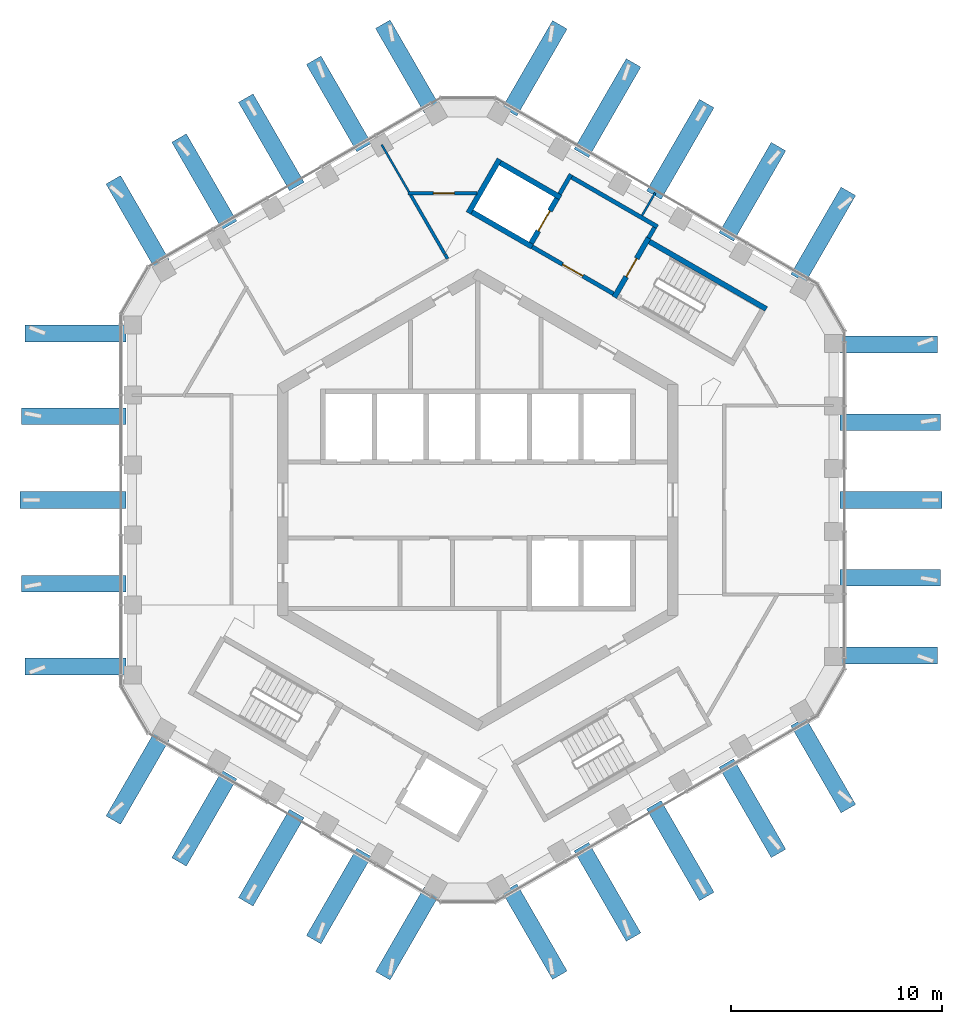
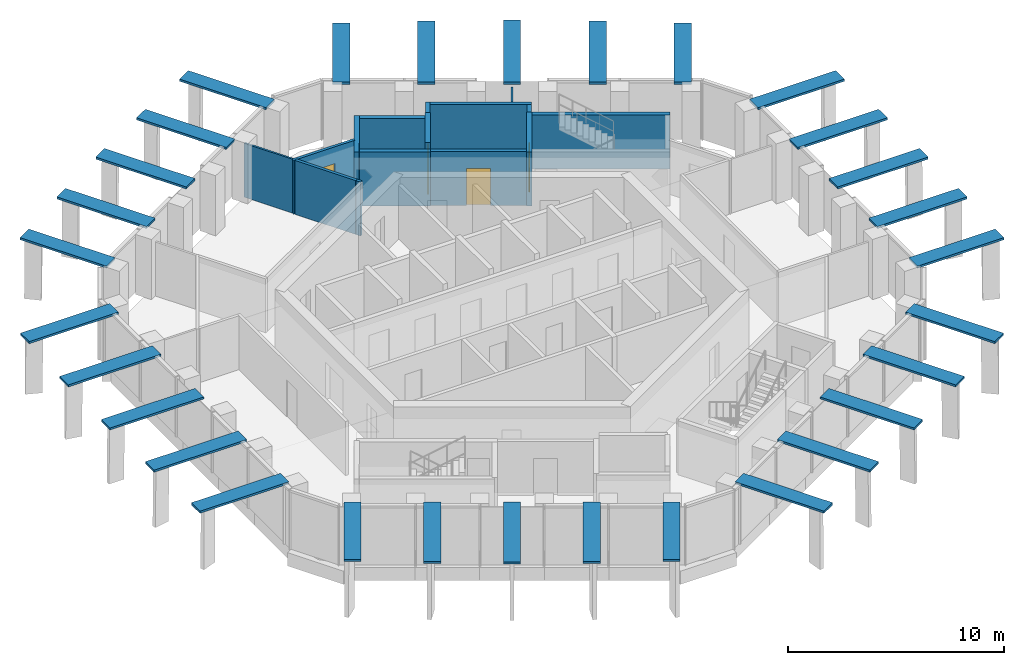
# One storey, part 13 of 17: 30 discrete accessories, 15 walls, 4 doors, 4 openings.
"""IFC4 building model written with IfcOpenShell, lengths in metres."""

from ifc_helpers import new_model, si_unit, direction, frame, frame_2d, origin, origin_2d, place, context, subcontext, project, spatial, rectangle, extrude, material, layer, layer_set, type_object, element, fill, save


model = new_model("IFC4")

# Units and contexts
model_context = context("Model", 3, precision=1e-05, world=origin(), true_north=direction((0.0, 1.0)))
body_context = subcontext(model_context, "Body", "Model", "MODEL_VIEW")
ifc_project = project(units=[si_unit("LENGTHUNIT", "METRE"), si_unit("AREAUNIT", "SQUARE_METRE"), si_unit("VOLUMEUNIT", "CUBIC_METRE"), si_unit("PLANEANGLEUNIT", "RADIAN"), si_unit("MASSUNIT", "GRAM", prefix="KILO")], contexts=[model_context])

# Site, building, storey
site_placement = place(None, origin())
site = spatial("IfcSite", under=ifc_project, at=site_placement, CompositionType="ELEMENT")
building_placement = place(site_placement, origin())
building = spatial("IfcBuilding", under=site, at=building_placement, Name="Ayvan Gate Tower", CompositionType="ELEMENT")
storey_placement = place(building_placement, frame((0.0, 0.0, 246.10009765625)))
storey = spatial("IfcBuildingStorey", under=building, at=storey_placement, Name="L66", CompositionType="ELEMENT", Elevation=246.10009765625)

# Wall, opening, door
ifc_material_1 = material(Name="Plasterboard on steel stud", Category="steel")
ifc_layer_1 = layer(ifc_material_1, 0.14990234375)
ifc_layer_set_1 = layer_set([ifc_layer_1], Name="Plasterboard on steel stud")
wall_type_1 = type_object("IfcWallType", Name="WT-CORR-150", PredefinedType="PARTITIONING", material=ifc_layer_set_1)
wall_1_placement = place(storey_placement, frame((-3.30712890625, 14.561767578125, 0.0), z_axis=(0.0, 0.0, 1.0), x_axis=(1.0, 0.0, 0.0)))
wall_1 = element("IfcWall", 1, at=wall_1_placement, inside=storey, type_object=wall_type_1, Name="IW-L66-021", PredefinedType="PARTITIONING", context=body_context, shape_type="SweptSolid", body=[
    extrude(rectangle(XDim=3.275634765625, YDim=0.14990234375, at=frame_2d((1.6376953125, 0.0))), origin(), (0.0, 0.0, 1.0), 3.0498046875),
])
opening_1_placement = place(wall_1_placement, frame((1.192626953125, 0.0, 0.0)))
opening_1 = element("IfcOpeningElement", 2, at=opening_1_placement, cuts=wall_1, Name="Opening L66-D24", PredefinedType="OPENING", context=body_context, shape_type="SweptSolid", body=[
    extrude(rectangle(XDim=1.0, YDim=2.10009765625, at=frame_2d((0.5, 1.050048828125))), frame((0.0, 0.0849609375, 0.0), z_axis=(0.0, -1.0, 0.0), x_axis=(1.0, 0.0, 0.0)), (0.0, 0.0, 1.0), 0.169921875),
])
ifc_material_2 = material(Name="Timber door leaf", Category="wood")
door_type_1 = type_object("IfcDoorType", Name="DT-1000", OperationType="NOTDEFINED", PredefinedType="DOOR", material=ifc_material_2)
door_1_placement = place(opening_1_placement, origin())
door_1 = element("IfcDoor", 3, at=door_1_placement, inside=storey, type_object=door_type_1, Name="ID-L66-024", OperationType="SINGLE_SWING_RIGHT", OverallHeight=2.10009765625, OverallWidth=1.0, PredefinedType="DOOR", context=body_context, shape_type="SweptSolid", body=[
    extrude(rectangle(XDim=1.0, YDim=2.10009765625, at=frame_2d((0.5, 1.050048828125))), frame((0.0, 0.02490234375, 0.0), z_axis=(0.0, -1.0, 0.0), x_axis=(1.0, 0.0, 0.0)), (0.0, 0.0, 1.0), 0.050048828125),
])
fill(opening_1, door_1)

# Walls
wall_2_placement = place(storey_placement, frame((-1.5693359375, 11.681884765625, 0.0), z_axis=(0.0, 0.0, 1.0), x_axis=(-0.500008528526, 0.866020479782, 0.0)))
element("IfcWall", 4, at=wall_2_placement, inside=storey, type_object=wall_type_1, Name="IW-L66-026", PredefinedType="PARTITIONING", context=body_context, shape_type="SweptSolid", body=[
    extrude(rectangle(XDim=3.25048828125, YDim=0.14990234375, at=frame_2d((1.625244140625, 0.0))), origin(), (0.0, 0.0, 1.0), 3.0498046875),
])
wall_3_placement = place(storey_placement, frame((-1.559326171875, 11.66455078125, 0.0), z_axis=(0.0, 0.0, 1.0), x_axis=(0.499401523306, -0.866370658852, 0.0)))
element("IfcWall", 5, at=wall_3_placement, inside=storey, type_object=wall_type_1, Name="IW-L66-027", PredefinedType="PARTITIONING", context=body_context, shape_type="SweptSolid", body=[
    extrude(rectangle(XDim=0.241455078125, YDim=0.14990234375, at=frame_2d((0.12060546875, 0.0))), origin(), (0.0, 0.0, 1.0), 3.0498046875),
])
ifc_layer_2 = layer(ifc_material_1, 0.10009765625)
ifc_layer_set_2 = layer_set([ifc_layer_2], Name="Plasterboard on steel stud")
wall_type_2 = type_object("IfcWallType", Name="WT-PART-100", PredefinedType="PARTITIONING", material=ifc_layer_set_2)
wall_4_placement = place(storey_placement, frame((-3.26953125, 14.626708984375, 0.0), z_axis=(0.0, 0.0, 1.0), x_axis=(-0.500038474733, 0.866003189247, 0.0)))
element("IfcWall", 6, at=wall_4_placement, inside=storey, type_object=wall_type_2, Name="IW-L66-020", PredefinedType="PARTITIONING", context=body_context, shape_type="SweptSolid", body=[
    extrude(rectangle(XDim=2.585693359375, YDim=0.10009765625, at=frame_2d((1.29296875, 0.0))), origin(), (0.0, 0.0, 1.0), 3.0498046875),
])
wall_5_placement = place(storey_placement, frame((7.800048828125, 13.510009765625, 0.0), z_axis=(0.0, 0.0, 1.0), x_axis=(0.500076467306, 0.865981250863, 0.0)))
element("IfcWall", 7, at=wall_5_placement, inside=storey, type_object=wall_type_2, Name="IW-L66-057", PredefinedType="PARTITIONING", context=body_context, shape_type="SweptSolid", body=[
    extrude(rectangle(XDim=1.233642578125, YDim=0.10009765625, at=frame_2d((0.61669921875, 0.0))), origin(), (0.0, 0.0, 1.0), 3.0498046875),
])
ifc_layer_3 = layer(ifc_material_1, 0.199951171875)
ifc_layer_set_3 = layer_set([ifc_layer_3], Name="Plasterboard on steel stud")
wall_type_3 = type_object("IfcWallType", Name="WT-RATED-200", PredefinedType="PARTITIONING", material=ifc_layer_set_3)
wall_6_placement = place(storey_placement, frame((3.885009765625, 14.52880859375, 0.0), z_axis=(0.0, 0.0, 1.0), x_axis=(0.499997628298, 0.866026773083, 0.0)))
element("IfcWall", 8, at=wall_6_placement, inside=storey, type_object=wall_type_3, Name="IW-L66-043", PredefinedType="PARTITIONING", context=body_context, shape_type="SweptSolid", body=[
    extrude(rectangle(XDim=1.0751953125, YDim=0.199951171875, at=frame_2d((0.53759765625, 0.0))), origin(), (0.0, 0.0, 1.0), 3.0498046875),
])
wall_7_placement = place(storey_placement, frame((4.458984375, 15.323486328125, 0.0), z_axis=(0.0, 0.0, 1.0), x_axis=(0.866016039709, -0.500016218704, 0.0)))
element("IfcWall", 9, at=wall_7_placement, inside=storey, type_object=wall_type_3, Name="IW-L66-044", PredefinedType="PARTITIONING", context=body_context, shape_type="SweptSolid", body=[
    extrude(rectangle(XDim=4.699951171875, YDim=0.199951171875, at=frame_2d((2.35009765625, 0.0))), origin(), (0.0, 0.0, 1.0), 3.0498046875),
])

# Wall, opening, door
wall_8_placement = place(storey_placement, frame((6.4345703125, 9.794921875, 0.0), z_axis=(0.0, 0.0, 1.0), x_axis=(-0.866012907634, 0.500021643343, 0.0)))
wall_8 = element("IfcWall", 10, at=wall_8_placement, inside=storey, type_object=wall_type_3, Name="IW-L66-049", PredefinedType="PARTITIONING", context=body_context, shape_type="SweptSolid", body=[
    extrude(rectangle(XDim=4.449951171875, YDim=0.199951171875, at=frame_2d((2.22509765625, 0.0))), origin(), (0.0, 0.0, 1.0), 3.0498046875),
])
opening_2_placement = place(wall_8_placement, frame((1.675048828125, 0.0, 0.0)))
opening_2 = element("IfcOpeningElement", 11, at=opening_2_placement, cuts=wall_8, Name="Opening L66-D13", PredefinedType="OPENING", context=body_context, shape_type="SweptSolid", body=[
    extrude(rectangle(XDim=1.10009765625, YDim=2.10009765625, at=frame_2d((0.550048828125, 1.050048828125))), frame((0.0, 0.10986328125, 0.0), z_axis=(0.0, -1.0, 0.0), x_axis=(1.0, 0.0, 0.0)), (0.0, 0.0, 1.0), 0.219970703125),
])
door_type_2 = type_object("IfcDoorType", Name="DT-1100", OperationType="NOTDEFINED", PredefinedType="DOOR", material=ifc_material_2)
door_2_placement = place(opening_2_placement, origin())
door_2 = element("IfcDoor", 12, at=door_2_placement, inside=storey, type_object=door_type_2, Name="ID-L66-013", OperationType="SINGLE_SWING_LEFT", OverallHeight=2.10009765625, OverallWidth=1.10009765625, PredefinedType="DOOR", context=body_context, shape_type="SweptSolid", body=[
    extrude(rectangle(XDim=1.10009765625, YDim=2.10009765625, at=frame_2d((0.550048828125, 1.050048828125))), frame((0.0, 0.02490234375, 0.0), z_axis=(0.0, -1.0, 0.0), x_axis=(1.0, 0.0, 0.0)), (0.0, 0.0, 1.0), 0.050048828125),
])
fill(opening_2, door_2)

# Walls
wall_9_placement = place(storey_placement, frame((8.392822265625, 12.936767578125, 0.0), z_axis=(0.0, 0.0, 1.0), x_axis=(-0.500065409566, -0.86598763626, 0.0)))
element("IfcWall", 13, at=wall_9_placement, inside=storey, type_object=wall_type_3, Name="IW-L66-059", PredefinedType="PARTITIONING", context=body_context, shape_type="SweptSolid", body=[
    extrude(rectangle(XDim=0.5751953125, YDim=0.199951171875, at=frame_2d((0.28759765625, 0.0))), origin(), (0.0, 0.0, 1.0), 3.0498046875),
])
ifc_material_3 = material(Name="Concrete C50/60", Category="concrete")
ifc_layer_4 = layer(ifc_material_3, 0.25)
ifc_layer_set_4 = layer_set([ifc_layer_4], Name="Concrete C50/60")
wall_type_4 = type_object("IfcWallType", Name="WT-RC-250", PredefinedType="SHEAR", material=ifc_layer_set_4)
wall_10_placement = place(storey_placement, frame((-0.447998046875, 13.624267578125, 0.0), z_axis=(0.0, 0.0, 1.0), x_axis=(0.500037662692, 0.866003658127, 0.0)))
element("IfcWall", 14, at=wall_10_placement, inside=storey, type_object=wall_type_4, Name="IW-L66-030", PredefinedType="SHEAR", context=body_context, shape_type="SweptSolid", body=[
    extrude(rectangle(XDim=2.949951171875, YDim=0.25, at=frame_2d((1.47509765625, 0.0))), origin(), (0.0, 0.0, 1.0), 3.0498046875),
])
for number, where, z_axis, x_axis, name in (
    (15, (1.072998046875, 16.00830078125, 0.0), (0.0, 0.0, 1.0), (0.866040211805, -0.499974350878, 0.0), "IW-L66-034"),
    (16, (2.580810546875, 12.02001953125, 0.0), (0.0, 0.0, 1.0), (-0.866040211805, 0.499974350878, 0.0), "IW-L66-039"),
):
    element("IfcWall", number, at=place(storey_placement, frame(where, z_axis=z_axis, x_axis=x_axis)), inside=storey, type_object=wall_type_4, Name=name, PredefinedType="SHEAR", context=body_context, shape_type="SweptSolid", body=[
        extrude(rectangle(XDim=3.300048828125, YDim=0.25, at=frame_2d((1.64990234375, 0.0))), origin(), (0.0, 0.0, 1.0), 3.0498046875),
    ])

# Wall, opening, door
wall_11_placement = place(storey_placement, frame((2.534912109375, 12.19091796875, 0.0), z_axis=(0.0, 0.0, 1.0), x_axis=(0.500061746146, 0.865989751695, 0.0)))
wall_11 = element("IfcWall", 17, at=wall_11_placement, inside=storey, type_object=wall_type_4, Name="IW-L66-040", PredefinedType="SHEAR", context=body_context, shape_type="SweptSolid", body=[
    extrude(rectangle(XDim=2.449951171875, YDim=0.25, at=frame_2d((1.22509765625, 0.0))), origin(), (0.0, 0.0, 1.0), 3.39990234375),
])
opening_3_placement = place(wall_11_placement, frame((0.675048828125, 0.0, 0.0)))
opening_3 = element("IfcOpeningElement", 18, at=opening_3_placement, cuts=wall_11, Name="Opening L66-LD-FF1", PredefinedType="OPENING", context=body_context, shape_type="SweptSolid", body=[
    extrude(rectangle(XDim=1.10009765625, YDim=2.10009765625, at=frame_2d((0.550048828125, 1.050048828125))), frame((0.0, 0.135009765625, 0.0), z_axis=(0.0, -1.0, 0.0), x_axis=(1.0, 0.0, 0.0)), (0.0, 0.0, 1.0), 0.27001953125),
])
ifc_material_4 = material(Name="Stainless steel landing door", Category="steel")
door_type_3 = type_object("IfcDoorType", Name="DT-LANDING-1100", OperationType="SLIDING_TO_LEFT", PredefinedType="DOOR", material=ifc_material_4)
door_3_placement = place(opening_3_placement, origin())
door_3 = element("IfcDoor", 19, at=door_3_placement, inside=storey, type_object=door_type_3, Name="ID-L66-014", OperationType="SLIDING_TO_LEFT", OverallHeight=2.10009765625, OverallWidth=1.10009765625, PredefinedType="DOOR", context=body_context, shape_type="SweptSolid", body=[
    extrude(rectangle(XDim=1.10009765625, YDim=2.10009765625, at=frame_2d((0.550048828125, 1.050048828125))), frame((0.0, 0.02490234375, 0.0), z_axis=(0.0, -1.0, 0.0), x_axis=(1.0, 0.0, 0.0)), (0.0, 0.0, 1.0), 0.050048828125),
])
fill(opening_3, door_3)

wall_12_placement = place(storey_placement, frame((6.480224609375, 9.624267578125, 0.0), z_axis=(0.0, 0.0, 1.0), x_axis=(0.500017246033, 0.866015446554, 0.0)))
wall_12 = element("IfcWall", 20, at=wall_12_placement, inside=storey, type_object=wall_type_4, Name="IW-L66-050", PredefinedType="SHEAR", context=body_context, shape_type="SweptSolid", body=[
    extrude(rectangle(XDim=3.25, YDim=0.25, at=frame_2d((1.625, 0.0))), origin(), (0.0, 0.0, 1.0), 3.0498046875),
])
opening_4_placement = place(wall_12_placement, frame((1.125, 0.0, 0.0)))
opening_4 = element("IfcOpeningElement", 21, at=opening_4_placement, cuts=wall_12, Name="Opening L66-D12", PredefinedType="OPENING", context=body_context, shape_type="SweptSolid", body=[
    extrude(rectangle(XDim=1.0, YDim=2.10009765625, at=frame_2d((0.5, 1.050048828125))), frame((0.0, 0.135009765625, 0.0), z_axis=(0.0, -1.0, 0.0), x_axis=(1.0, 0.0, 0.0)), (0.0, 0.0, 1.0), 0.27001953125),
])
door_4_placement = place(opening_4_placement, origin())
door_4 = element("IfcDoor", 22, at=door_4_placement, inside=storey, type_object=door_type_1, Name="ID-L66-012", OperationType="SINGLE_SWING_RIGHT", OverallHeight=2.10009765625, OverallWidth=1.0, PredefinedType="DOOR", context=body_context, shape_type="SweptSolid", body=[
    extrude(rectangle(XDim=1.0, YDim=2.10009765625, at=frame_2d((0.5, 1.050048828125))), frame((0.0, 0.02490234375, 0.0), z_axis=(0.0, -1.0, 0.0), x_axis=(1.0, 0.0, 0.0)), (0.0, 0.0, 1.0), 0.050048828125),
])
fill(opening_4, door_4)

# Wall
wall_13_placement = place(storey_placement, frame((8.151123046875, 12.26806640625, 0.0), z_axis=(0.0, 0.0, 1.0), x_axis=(0.866025499775, -0.499999833739, 0.0)))
element("IfcWall", 23, at=wall_13_placement, inside=storey, type_object=wall_type_4, Name="IW-L66-058", PredefinedType="SHEAR", context=body_context, shape_type="SweptSolid", body=[
    extrude(rectangle(XDim=6.39990234375, YDim=0.25, at=frame_2d((3.199951171875, 0.0))), origin(), (0.0, 0.0, 1.0), 3.0498046875),
])

# Discrete accessories
ifc_material_5 = material(Name="Stainless steel 316", Category="steel")
ifc_layer_5 = layer(ifc_material_5, 0.1201171875)
ifc_layer_set_5 = layer_set([ifc_layer_5], Name="Stainless steel 316")
discrete_accessory_type = type_object("IfcDiscreteAccessoryType", Name="Fin carrier bracket", PredefinedType="BRACKET", material=ifc_layer_set_5)
discrete_accessory_1_placement = place(storey_placement, frame((-19.099609375, -7.908203125, 3.27978515625), z_axis=(0.0, 0.0, 1.0), x_axis=(0.0, -1.0, 0.0)))
element("IfcDiscreteAccessory", 24, at=discrete_accessory_1_placement, inside=storey, type_object=discrete_accessory_type, Name="Fin carrier 154", PredefinedType="BRACKET", context=body_context, shape_type="SweptSolid", body=[
    extrude(rectangle(XDim=0.800048828125, YDim=4.773681640625, at=origin_2d()), origin(), (0.0, 0.0, 1.0), 0.1201171875),
])
discrete_accessory_2_placement = place(storey_placement, frame((-19.1904296875, -3.9736328125, 3.27978515625), z_axis=(0.0, 0.0, 1.0), x_axis=(0.0, -1.0, 0.0)))
element("IfcDiscreteAccessory", 25, at=discrete_accessory_2_placement, inside=storey, type_object=discrete_accessory_type, Name="Fin carrier 162", PredefinedType="BRACKET", context=body_context, shape_type="SweptSolid", body=[
    extrude(rectangle(XDim=0.800048828125, YDim=4.95556640625, at=origin_2d()), origin(), (0.0, 0.0, 1.0), 0.1201171875),
])
discrete_accessory_3_placement = place(storey_placement, frame((-19.223876953125, -0.000244140625, 3.27978515625), z_axis=(0.0, 0.0, 1.0), x_axis=(0.0, -1.0, 0.0)))
element("IfcDiscreteAccessory", 26, at=discrete_accessory_3_placement, inside=storey, type_object=discrete_accessory_type, Name="Fin carrier 171", PredefinedType="BRACKET", context=body_context, shape_type="SweptSolid", body=[
    extrude(rectangle(XDim=0.800048828125, YDim=5.022216796875, at=origin_2d()), origin(), (0.0, 0.0, 1.0), 0.1201171875),
])
discrete_accessory_4_placement = place(storey_placement, frame((-19.1904296875, 3.973388671875, 3.27978515625), z_axis=(0.0, 0.0, 1.0), x_axis=(0.0, -1.0, 0.0)))
element("IfcDiscreteAccessory", 27, at=discrete_accessory_4_placement, inside=storey, type_object=discrete_accessory_type, Name="Fin carrier 179", PredefinedType="BRACKET", context=body_context, shape_type="SweptSolid", body=[
    extrude(rectangle(XDim=0.800048828125, YDim=4.95556640625, at=origin_2d()), origin(), (0.0, 0.0, 1.0), 0.1201171875),
])
discrete_accessory_5_placement = place(storey_placement, frame((-19.099609375, 7.908203125, 3.27978515625), z_axis=(0.0, 0.0, 1.0), x_axis=(0.0, -1.0, 0.0)))
element("IfcDiscreteAccessory", 28, at=discrete_accessory_5_placement, inside=storey, type_object=discrete_accessory_type, Name="Fin carrier 187", PredefinedType="BRACKET", context=body_context, shape_type="SweptSolid", body=[
    extrude(rectangle(XDim=0.800048828125, YDim=4.773681640625, at=origin_2d()), origin(), (0.0, 0.0, 1.0), 0.1201171875),
])
for number, where, z_axis, x_axis, name in (
    (29, (-16.149169921875, -13.19580078125, 3.27978515625), (0.0, 0.0, 1.0), (0.866025403784, -0.5, 0.0), "Fin carrier 232"),
    (30, (-16.149169921875, 13.19580078125, 3.27978515625), (0.0, 0.0, 1.0), (-0.866025403784, -0.5, 0.0), "Fin carrier 241"),
):
    element("IfcDiscreteAccessory", number, at=place(storey_placement, frame(where, z_axis=z_axis, x_axis=x_axis)), inside=storey, type_object=discrete_accessory_type, Name=name, PredefinedType="BRACKET", context=body_context, shape_type="SweptSolid", body=[
        extrude(rectangle(XDim=0.800048828125, YDim=4.6298828125, at=origin_2d()), origin(), (0.0, 0.0, 1.0), 0.1201171875),
    ])
for number, where, z_axis, x_axis, name in (
    (31, (-12.986572265625, -15.112548828125, 3.27978515625), (0.0, 0.0, 1.0), (0.866025403784, -0.5, 0.0), "Fin carrier 297"),
    (32, (-12.98681640625, 15.1123046875, 3.27978515625), (0.0, 0.0, 1.0), (-0.866025403784, -0.5, 0.0), "Fin carrier 303"),
):
    element("IfcDiscreteAccessory", number, at=place(storey_placement, frame(where, z_axis=z_axis, x_axis=x_axis)), inside=storey, type_object=discrete_accessory_type, Name=name, PredefinedType="BRACKET", context=body_context, shape_type="SweptSolid", body=[
        extrude(rectangle(XDim=0.800048828125, YDim=4.787109375, at=origin_2d()), origin(), (0.0, 0.0, 1.0), 0.1201171875),
    ])
for number, where, z_axis, x_axis, name in (
    (33, (-9.804443359375, -16.98193359375, 3.27978515625), (0.0, 0.0, 1.0), (0.866025403784, -0.5, 0.0), "Fin carrier 361"),
    (34, (-9.8046875, 16.98193359375, 3.27978515625), (0.0, 0.0, 1.0), (-0.866025403784, -0.5, 0.0), "Fin carrier 372"),
):
    element("IfcDiscreteAccessory", number, at=place(storey_placement, frame(where, z_axis=z_axis, x_axis=x_axis)), inside=storey, type_object=discrete_accessory_type, Name=name, PredefinedType="BRACKET", context=body_context, shape_type="SweptSolid", body=[
        extrude(rectangle(XDim=0.800048828125, YDim=4.84326171875, at=origin_2d()), origin(), (0.0, 0.0, 1.0), 0.1201171875),
    ])
for number, where, z_axis, x_axis, name in (
    (35, (-6.59423828125, -18.802978515625, 3.27978515625), (0.0, 0.0, 1.0), (0.866025403784, -0.5, 0.0), "Fin carrier 425"),
    (36, (-6.594482421875, 18.802978515625, 3.27978515625), (0.0, 0.0, 1.0), (-0.866025403784, -0.5, 0.0), "Fin carrier 434"),
):
    element("IfcDiscreteAccessory", number, at=place(storey_placement, frame(where, z_axis=z_axis, x_axis=x_axis)), inside=storey, type_object=discrete_accessory_type, Name=name, PredefinedType="BRACKET", context=body_context, shape_type="SweptSolid", body=[
        extrude(rectangle(XDim=0.800048828125, YDim=4.787109375, at=origin_2d()), origin(), (0.0, 0.0, 1.0), 0.1201171875),
    ])
for number, where, z_axis, x_axis, name in (
    (37, (-3.353271484375, -20.58349609375, 3.27978515625), (0.0, 0.0, 1.0), (0.866025403784, -0.5, 0.0), "Fin carrier 487"),
    (38, (-3.353515625, 20.58349609375, 3.27978515625), (0.0, 0.0, 1.0), (-0.866025403784, -0.5, 0.0), "Fin carrier 499"),
):
    element("IfcDiscreteAccessory", number, at=place(storey_placement, frame(where, z_axis=z_axis, x_axis=x_axis)), inside=storey, type_object=discrete_accessory_type, Name=name, PredefinedType="BRACKET", context=body_context, shape_type="SweptSolid", body=[
        extrude(rectangle(XDim=0.800048828125, YDim=4.6298828125, at=origin_2d()), origin(), (0.0, 0.0, 1.0), 0.1201171875),
    ])
for number, where, z_axis, x_axis, name in (
    (39, (2.701171875, -20.49462890625, 3.27978515625), (0.0, 0.0, 1.0), (0.866025403784, 0.5, 0.0), "Fin carrier 545"),
    (40, (2.701171875, 20.494873046875, 3.27978515625), (0.0, 0.0, 1.0), (-0.866025403784, 0.5, 0.0), "Fin carrier 551"),
):
    element("IfcDiscreteAccessory", number, at=place(storey_placement, frame(where, z_axis=z_axis, x_axis=x_axis)), inside=storey, type_object=discrete_accessory_type, Name=name, PredefinedType="BRACKET", context=body_context, shape_type="SweptSolid", body=[
        extrude(rectangle(XDim=0.800048828125, YDim=4.773681640625, at=origin_2d()), origin(), (0.0, 0.0, 1.0), 0.1201171875),
    ])
for number, where, z_axis, x_axis, name in (
    (41, (6.154296875, -18.606201171875, 3.27978515625), (0.0, 0.0, 1.0), (0.866025403784, 0.5, 0.0), "Fin carrier 605"),
    (42, (6.154052734375, 18.606201171875, 3.27978515625), (0.0, 0.0, 1.0), (-0.866025403784, 0.5, 0.0), "Fin carrier 611"),
):
    element("IfcDiscreteAccessory", number, at=place(storey_placement, frame(where, z_axis=z_axis, x_axis=x_axis)), inside=storey, type_object=discrete_accessory_type, Name=name, PredefinedType="BRACKET", context=body_context, shape_type="SweptSolid", body=[
        extrude(rectangle(XDim=0.800048828125, YDim=4.95556640625, at=origin_2d()), origin(), (0.0, 0.0, 1.0), 0.1201171875),
    ])
for number, where, z_axis, x_axis, name in (
    (43, (9.612060546875, -16.648193359375, 3.27978515625), (0.0, 0.0, 1.0), (0.866025403784, 0.5, 0.0), "Fin carrier 667"),
    (44, (9.61181640625, 16.6484375, 3.27978515625), (0.0, 0.0, 1.0), (-0.866025403784, 0.5, 0.0), "Fin carrier 673"),
):
    element("IfcDiscreteAccessory", number, at=place(storey_placement, frame(where, z_axis=z_axis, x_axis=x_axis)), inside=storey, type_object=discrete_accessory_type, Name=name, PredefinedType="BRACKET", context=body_context, shape_type="SweptSolid", body=[
        extrude(rectangle(XDim=0.800048828125, YDim=5.022216796875, at=origin_2d()), origin(), (0.0, 0.0, 1.0), 0.1201171875),
    ])
for number, where, z_axis, x_axis, name in (
    (45, (13.036376953125, -14.6328125, 3.27978515625), (0.0, 0.0, 1.0), (0.866025403784, 0.5, 0.0), "Fin carrier 736"),
    (46, (13.0361328125, 14.6328125, 3.27978515625), (0.0, 0.0, 1.0), (-0.866025403784, 0.5, 0.0), "Fin carrier 740"),
):
    element("IfcDiscreteAccessory", number, at=place(storey_placement, frame(where, z_axis=z_axis, x_axis=x_axis)), inside=storey, type_object=discrete_accessory_type, Name=name, PredefinedType="BRACKET", context=body_context, shape_type="SweptSolid", body=[
        extrude(rectangle(XDim=0.800048828125, YDim=4.95556640625, at=origin_2d()), origin(), (0.0, 0.0, 1.0), 0.1201171875),
    ])
for number, where, z_axis, x_axis, name in (
    (47, (16.3984375, -12.586669921875, 3.27978515625), (0.0, 0.0, 1.0), (0.866025403784, 0.5, 0.0), "Fin carrier 802"),
    (48, (16.3984375, 12.586669921875, 3.27978515625), (0.0, 0.0, 1.0), (-0.866025403784, 0.5, 0.0), "Fin carrier 804"),
):
    element("IfcDiscreteAccessory", number, at=place(storey_placement, frame(where, z_axis=z_axis, x_axis=x_axis)), inside=storey, type_object=discrete_accessory_type, Name=name, PredefinedType="BRACKET", context=body_context, shape_type="SweptSolid", body=[
        extrude(rectangle(XDim=0.800048828125, YDim=4.773681640625, at=origin_2d()), origin(), (0.0, 0.0, 1.0), 0.1201171875),
    ])
discrete_accessory_6_placement = place(storey_placement, frame((19.50244140625, -7.387451171875, 3.27978515625), z_axis=(0.0, 0.0, 1.0), x_axis=(0.0, 1.0, 0.0)))
element("IfcDiscreteAccessory", 49, at=discrete_accessory_6_placement, inside=storey, type_object=discrete_accessory_type, Name="Fin carrier 839", PredefinedType="BRACKET", context=body_context, shape_type="SweptSolid", body=[
    extrude(rectangle(XDim=0.800048828125, YDim=4.6298828125, at=origin_2d()), origin(), (0.0, 0.0, 1.0), 0.1201171875),
])
discrete_accessory_7_placement = place(storey_placement, frame((19.5810546875, -3.6904296875, 3.27978515625), z_axis=(0.0, 0.0, 1.0), x_axis=(0.0, 1.0, 0.0)))
element("IfcDiscreteAccessory", 50, at=discrete_accessory_7_placement, inside=storey, type_object=discrete_accessory_type, Name="Fin carrier 850", PredefinedType="BRACKET", context=body_context, shape_type="SweptSolid", body=[
    extrude(rectangle(XDim=0.800048828125, YDim=4.787109375, at=origin_2d()), origin(), (0.0, 0.0, 1.0), 0.1201171875),
])
discrete_accessory_8_placement = place(storey_placement, frame((19.609130859375, 0.0, 3.27978515625), z_axis=(0.0, 0.0, 1.0), x_axis=(0.0, 1.0, 0.0)))
element("IfcDiscreteAccessory", 51, at=discrete_accessory_8_placement, inside=storey, type_object=discrete_accessory_type, Name="Fin carrier 863", PredefinedType="BRACKET", context=body_context, shape_type="SweptSolid", body=[
    extrude(rectangle(XDim=0.800048828125, YDim=4.84326171875, at=origin_2d()), origin(), (0.0, 0.0, 1.0), 0.1201171875),
])
discrete_accessory_9_placement = place(storey_placement, frame((19.5810546875, 3.690673828125, 3.27978515625), z_axis=(0.0, 0.0, 1.0), x_axis=(0.0, 1.0, 0.0)))
element("IfcDiscreteAccessory", 52, at=discrete_accessory_9_placement, inside=storey, type_object=discrete_accessory_type, Name="Fin carrier 874", PredefinedType="BRACKET", context=body_context, shape_type="SweptSolid", body=[
    extrude(rectangle(XDim=0.800048828125, YDim=4.787109375, at=origin_2d()), origin(), (0.0, 0.0, 1.0), 0.1201171875),
])
discrete_accessory_10_placement = place(storey_placement, frame((19.50244140625, 7.3876953125, 3.27978515625), z_axis=(0.0, 0.0, 1.0), x_axis=(0.0, 1.0, 0.0)))
element("IfcDiscreteAccessory", 53, at=discrete_accessory_10_placement, inside=storey, type_object=discrete_accessory_type, Name="Fin carrier 887", PredefinedType="BRACKET", context=body_context, shape_type="SweptSolid", body=[
    extrude(rectangle(XDim=0.800048828125, YDim=4.6298828125, at=origin_2d()), origin(), (0.0, 0.0, 1.0), 0.1201171875),
])

save(model, "model.ifc")
